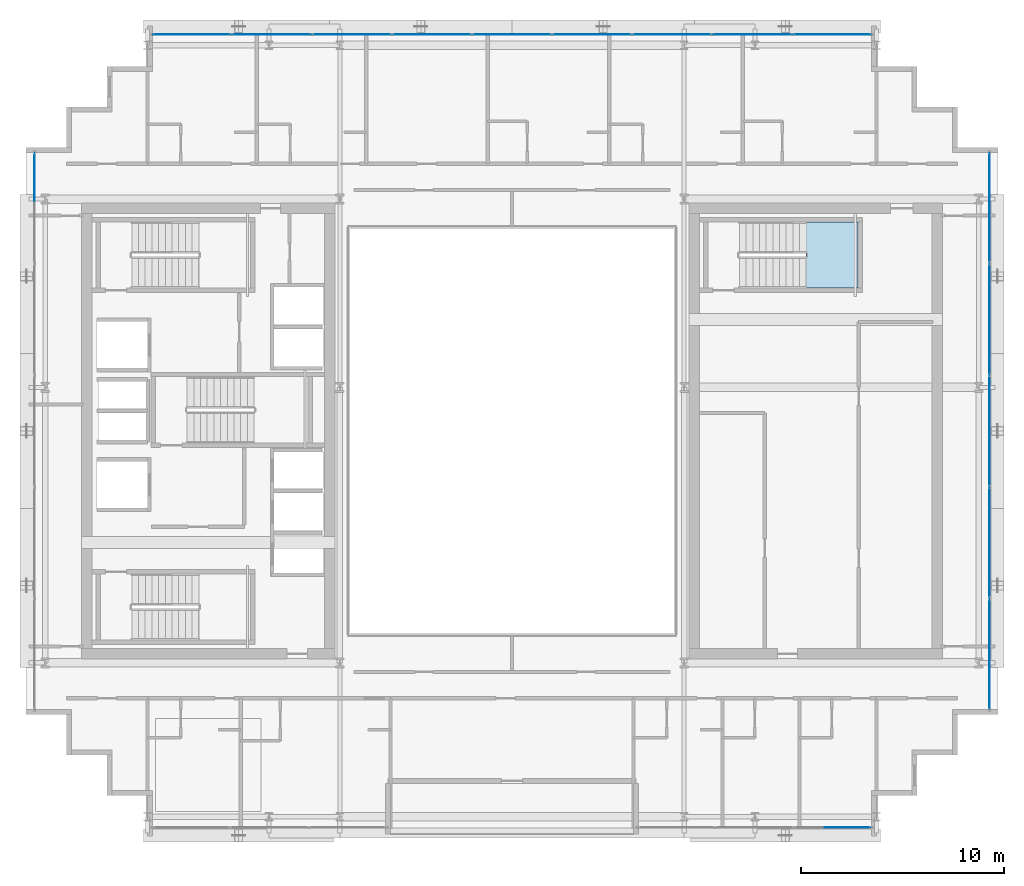
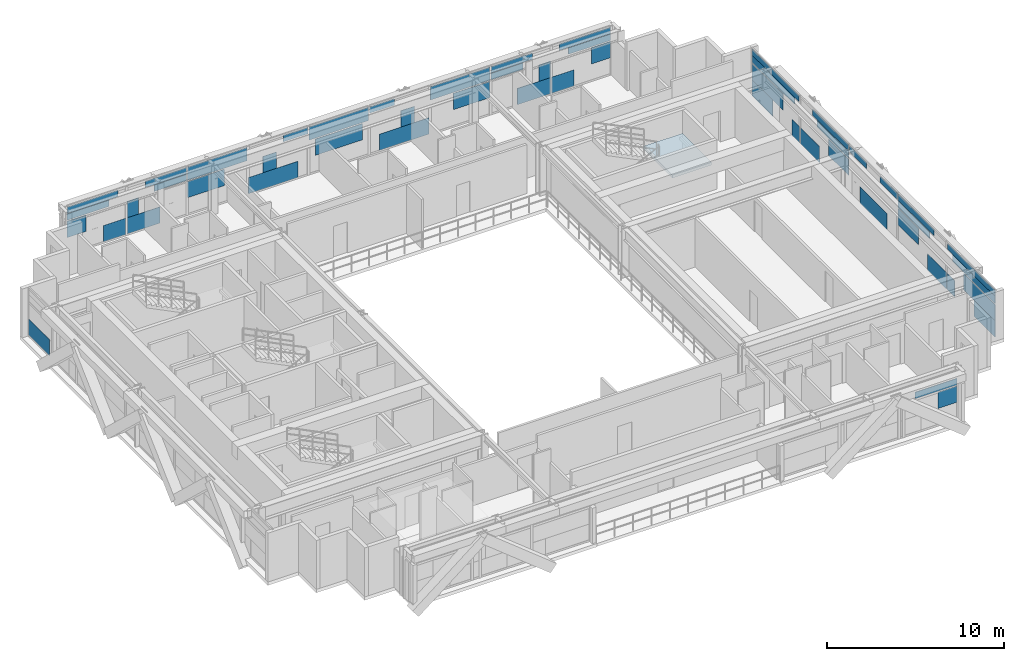
# One storey, part 21 of 31: 52 plates, 1 slab, 5 elements without a shape of their own.
"""IFC4 building model written with IfcOpenShell, lengths in metres."""

from ifc_helpers import new_model, si_unit, direction, frame, origin, origin_2d, place, context, subcontext, project, spatial, polyline, rectangle, outline, extrude, source, transform, mapped, material, layer, layer_set, type_object, element, aggregate, save


model = new_model("IFC4")

# Units and contexts
model_context = context("Model", 3, precision=1e-05, world=origin(), true_north=direction((0.0, 1.0)))
body_context = subcontext(model_context, "Body", "Model", "MODEL_VIEW")
ifc_project = project(units=[si_unit("LENGTHUNIT", "METRE"), si_unit("AREAUNIT", "SQUARE_METRE"), si_unit("VOLUMEUNIT", "CUBIC_METRE"), si_unit("PLANEANGLEUNIT", "RADIAN"), si_unit("MASSUNIT", "GRAM", prefix="KILO")], contexts=[model_context])

# Site, building, storey
site_placement = place(None, origin())
site = spatial("IfcSite", under=ifc_project, at=site_placement, CompositionType="ELEMENT")
building_placement = place(site_placement, origin())
building = spatial("IfcBuilding", under=site, at=building_placement, Name="Ocotamira Hotel", CompositionType="ELEMENT")
storey_placement = place(building_placement, frame((0.0, 0.0, 202.800048828125)))
storey = spatial("IfcBuildingStorey", under=building, at=storey_placement, Name="L51", CompositionType="ELEMENT", Elevation=202.800048828125)

# Stair, slab
ifc_material_1 = material(Name="Concrete C40/50", Category="concrete")
stair_type = type_object("IfcStairType", Name="ST-CORE-1560", PredefinedType="HALF_TURN_STAIR", material=ifc_material_1)
stair_placement = place(storey_placement, origin())
stair = element("IfcStair", 1, at=stair_placement, inside=storey, type_object=stair_type, Name="L51 Exit Stair ST-4", PredefinedType="HALF_TURN_STAIR")
ifc_layer_1 = layer(ifc_material_1, 0.199951171875)
ifc_layer_set_1 = layer_set([ifc_layer_1], Name="Concrete C40/50")
slab_type = type_object("IfcSlabType", Name="SLB-LAND-200", PredefinedType="LANDING", material=ifc_layer_set_1)
slab_placement = place(storey_placement, frame((0.0, 0.0, 1.599853515625)))
slab = element("IfcSlab", 2, at=slab_placement, type_object=slab_type, Name="ST-4 landing 1", PredefinedType="LANDING", context=body_context, shape_type="SweptSolid", body=[
    extrude(outline(polyline([(46.530029296875, 33.050048828125), (49.090087890625, 33.050048828125), (49.090087890625, 36.330078125), (46.530029296875, 36.330078125), (46.530029296875, 33.050048828125)])), origin(), (0.0, 0.0, 1.0), 0.2001953125),
])
aggregate(stair, [slab])

# Curtain wall, plates
ifc_material_2 = material(Name="Anodised pale-metal aluminium and solar glass", Category="aluminium")
ifc_layer_2 = layer(ifc_material_2, 0.199951171875)
ifc_layer_set_2 = layer_set([ifc_layer_2], Name="Anodised pale-metal aluminium and solar glass")
curtain_wall_type = type_object("IfcCurtainWallType", Name="CW-SYS4-Z3", PredefinedType="NOTDEFINED", material=ifc_layer_set_2)
curtain_wall_1_placement = place(storey_placement, origin())
curtain_wall_1 = element("IfcCurtainWall", 3, at=curtain_wall_1_placement, inside=storey, type_object=curtain_wall_type, Name="L51 Curtain Wall CW-4 CW-L51-N", PredefinedType="NOTDEFINED")
ifc_material_3 = material(Name="Double-silver low-E insulated solar glass", Category="glass")
ifc_layer_3 = layer(ifc_material_3, 0.031982421875)
ifc_layer_set_3 = layer_set([ifc_layer_3], Name="Double-silver low-E insulated solar glass")
plate_type = type_object("IfcPlateType", Name="CWP-VISION-32", PredefinedType="CURTAIN_PANEL", material=ifc_layer_set_3)
shared_shape_1 = source(origin(), body_context, "Body", "SweptSolid", [
    extrude(rectangle(XDim=3.87548828125, YDim=0.031982421875, at=origin_2d()), origin(), (0.0, 0.0, 1.0), 0.907470703125),
])
plate_1_placement = place(storey_placement, frame((24.0888671875, 45.580078125, 2.3876953125), z_axis=(0.0, 0.0, 1.0), x_axis=(1.0, 0.0, 0.0)))
plate_1 = element("IfcPlate", 4, at=plate_1_placement, type_object=plate_type, Name="CW-4 panel 3.2", PredefinedType="CURTAIN_PANEL", context=body_context, shape_type="MappedRepresentation", body=[
    mapped(shared_shape_1, transform((0.0, 0.0, 0.0), scale=1.0)),
])
plate_2_placement = place(storey_placement, frame((32.0, 45.580078125, 2.3876953125), z_axis=(0.0, 0.0, 1.0), x_axis=(1.0, 0.0, 0.0)))
plate_2 = element("IfcPlate", 5, at=plate_2_placement, type_object=plate_type, Name="CW-4 panel 5.2", PredefinedType="CURTAIN_PANEL", context=body_context, shape_type="MappedRepresentation", body=[
    mapped(shared_shape_1, transform((0.0, 0.0, 0.0), scale=1.0)),
])
plate_3_placement = place(storey_placement, frame((39.9111328125, 45.580078125, 2.3876953125), z_axis=(0.0, 0.0, 1.0), x_axis=(1.0, 0.0, 0.0)))
plate_3 = element("IfcPlate", 6, at=plate_3_placement, type_object=plate_type, Name="CW-4 panel 7.2", PredefinedType="CURTAIN_PANEL", context=body_context, shape_type="MappedRepresentation", body=[
    mapped(shared_shape_1, transform((0.0, 0.0, 0.0), scale=1.0)),
])

# Curtain wall, plate
curtain_wall_2_placement = place(storey_placement, origin())
curtain_wall_2 = element("IfcCurtainWall", 7, at=curtain_wall_2_placement, inside=storey, type_object=curtain_wall_type, Name="L51 Curtain Wall CW-4 CW-L51-S2", PredefinedType="NOTDEFINED")
shared_shape_2 = source(origin(), body_context, "Body", "SweptSolid", [
    extrude(rectangle(XDim=1.251953125, YDim=0.031982421875, at=origin_2d()), origin(), (0.0, 0.0, 1.0), 1.118896484375),
])
plate_4_placement = place(storey_placement, frame((49.093994140625, 6.419921875, 1.193359375), z_axis=(0.0, 0.0, 1.0), x_axis=(1.0, 0.0, 0.0)))
plate_4 = element("IfcPlate", 8, at=plate_4_placement, type_object=plate_type, Name="CW-4 panel 3.1.2", PredefinedType="CURTAIN_PANEL", context=body_context, shape_type="MappedRepresentation", body=[
    mapped(shared_shape_2, transform((0.0, 0.0, 0.0), scale=1.0)),
])

# Plate
plate_5_placement = place(storey_placement, frame((14.906005859375, 45.580078125, 1.193359375), z_axis=(0.0, 0.0, 1.0), x_axis=(1.0, 0.0, 0.0)))
plate_5 = element("IfcPlate", 9, at=plate_5_placement, type_object=plate_type, Name="CW-4 panel 1.1.1", PredefinedType="CURTAIN_PANEL", context=body_context, shape_type="MappedRepresentation", body=[
    mapped(shared_shape_2, transform((0.0, 0.0, 0.0), scale=1.0)),
])

plate_6_placement = place(storey_placement, frame((49.093994140625, 45.580078125, 1.193359375), z_axis=(0.0, 0.0, 1.0), x_axis=(1.0, 0.0, 0.0)))
plate_6 = element("IfcPlate", 10, at=plate_6_placement, type_object=plate_type, Name="CW-4 panel 9.1.2", PredefinedType="CURTAIN_PANEL", context=body_context, shape_type="MappedRepresentation", body=[
    mapped(shared_shape_2, transform((0.0, 0.0, 0.0), scale=1.0)),
])

shared_shape_3 = source(origin(), body_context, "Body", "SweptSolid", [
    extrude(rectangle(XDim=2.744140625, YDim=0.031982421875, at=origin_2d()), origin(), (0.0, 0.0, 1.0), 0.443603515625),
])
plate_7_placement = place(storey_placement, frame((48.347900390625, 6.419921875, 2.38720703125), z_axis=(0.0, 0.0, 1.0), x_axis=(1.0, 0.0, 0.0)))
plate_7 = element("IfcPlate", 11, at=plate_7_placement, type_object=plate_type, Name="CW-4 panel 3.2.2", PredefinedType="CURTAIN_PANEL", context=body_context, shape_type="MappedRepresentation", body=[
    mapped(shared_shape_3, transform((0.0, 0.0, 0.0), scale=1.0)),
])

aggregate(curtain_wall_2, [plate_4, plate_7])

plate_8_placement = place(storey_placement, frame((15.652099609375, 45.580078125, 2.38720703125), z_axis=(0.0, 0.0, 1.0), x_axis=(1.0, 0.0, 0.0)))
plate_8 = element("IfcPlate", 12, at=plate_8_placement, type_object=plate_type, Name="CW-4 panel 1.2.1", PredefinedType="CURTAIN_PANEL", context=body_context, shape_type="MappedRepresentation", body=[
    mapped(shared_shape_3, transform((0.0, 0.0, 0.0), scale=1.0)),
])

plate_9_placement = place(storey_placement, frame((48.347900390625, 45.580078125, 2.38720703125), z_axis=(0.0, 0.0, 1.0), x_axis=(1.0, 0.0, 0.0)))
plate_9 = element("IfcPlate", 13, at=plate_9_placement, type_object=plate_type, Name="CW-4 panel 9.2.2", PredefinedType="CURTAIN_PANEL", context=body_context, shape_type="MappedRepresentation", body=[
    mapped(shared_shape_3, transform((0.0, 0.0, 0.0), scale=1.0)),
])

shared_shape_4 = source(origin(), body_context, "Body", "SweptSolid", [
    extrude(rectangle(XDim=3.337646484375, YDim=0.031982421875, at=origin_2d()), origin(), (0.0, 0.0, 1.0), 0.4326171875),
])
plate_10_placement = place(storey_placement, frame((15.94873046875, 45.580078125, 2.8623046875), z_axis=(0.0, 0.0, 1.0), x_axis=(1.0, 0.0, 0.0)))
plate_10 = element("IfcPlate", 14, at=plate_10_placement, type_object=plate_type, Name="CW-4 panel 1.2.2", PredefinedType="CURTAIN_PANEL", context=body_context, shape_type="MappedRepresentation", body=[
    mapped(shared_shape_4, transform((0.0, 0.0, 0.0), scale=1.0)),
])

plate_11_placement = place(storey_placement, frame((48.05126953125, 45.580078125, 2.8623046875), z_axis=(0.0, 0.0, 1.0), x_axis=(1.0, 0.0, 0.0)))
plate_11 = element("IfcPlate", 15, at=plate_11_placement, type_object=plate_type, Name="CW-4 panel 9.2.1", PredefinedType="CURTAIN_PANEL", context=body_context, shape_type="MappedRepresentation", body=[
    mapped(shared_shape_4, transform((0.0, 0.0, 0.0), scale=1.0)),
])

shared_shape_5 = source(origin(), body_context, "Body", "SweptSolid", [
    extrude(rectangle(XDim=1.463134765625, YDim=0.031982421875, at=origin_2d()), origin(), (0.0, 0.0, 1.0), 1.118896484375),
])
plate_12_placement = place(storey_placement, frame((17.384033203125, 45.580078125, 0.07470703125), z_axis=(0.0, 0.0, 1.0), x_axis=(1.0, 0.0, 0.0)))
plate_12 = element("IfcPlate", 16, at=plate_12_placement, type_object=plate_type, Name="CW-4 panel 1.1.2", PredefinedType="CURTAIN_PANEL", context=body_context, shape_type="MappedRepresentation", body=[
    mapped(shared_shape_5, transform((0.0, 0.0, 0.0), scale=1.0)),
])

plate_13_placement = place(storey_placement, frame((46.615966796875, 45.580078125, 0.07470703125), z_axis=(0.0, 0.0, 1.0), x_axis=(1.0, 0.0, 0.0)))
plate_13 = element("IfcPlate", 17, at=plate_13_placement, type_object=plate_type, Name="CW-4 panel 9.1.1", PredefinedType="CURTAIN_PANEL", context=body_context, shape_type="MappedRepresentation", body=[
    mapped(shared_shape_5, transform((0.0, 0.0, 0.0), scale=1.0)),
])

shared_shape_6 = source(origin(), body_context, "Body", "SweptSolid", [
    extrude(rectangle(XDim=2.152099609375, YDim=0.031982421875, at=origin_2d()), origin(), (0.0, 0.0, 1.0), 1.118896484375),
])
plate_14_placement = place(storey_placement, frame((19.271484375, 45.580078125, 0.07470703125), z_axis=(0.0, 0.0, 1.0), x_axis=(1.0, 0.0, 0.0)))
plate_14 = element("IfcPlate", 18, at=plate_14_placement, type_object=plate_type, Name="CW-4 panel 2.1.1", PredefinedType="CURTAIN_PANEL", context=body_context, shape_type="MappedRepresentation", body=[
    mapped(shared_shape_6, transform((0.0, 0.0, 0.0), scale=1.0)),
])

plate_15_placement = place(storey_placement, frame((44.728515625, 45.580078125, 0.07470703125), z_axis=(0.0, 0.0, 1.0), x_axis=(1.0, 0.0, 0.0)))
plate_15 = element("IfcPlate", 19, at=plate_15_placement, type_object=plate_type, Name="CW-4 panel 8.1.1", PredefinedType="CURTAIN_PANEL", context=body_context, shape_type="MappedRepresentation", body=[
    mapped(shared_shape_6, transform((0.0, 0.0, 0.0), scale=1.0)),
])

shared_shape_7 = source(origin(), body_context, "Body", "SweptSolid", [
    extrude(rectangle(XDim=0.75341796875, YDim=0.031982421875, at=origin_2d()), origin(), (0.0, 0.0, 1.0), 1.118896484375),
])
plate_16_placement = place(storey_placement, frame((18.572265625, 45.580078125, 1.193359375), z_axis=(0.0, 0.0, 1.0), x_axis=(1.0, 0.0, 0.0)))
plate_16 = element("IfcPlate", 20, at=plate_16_placement, type_object=plate_type, Name="CW-4 panel 2.1.2", PredefinedType="CURTAIN_PANEL", context=body_context, shape_type="MappedRepresentation", body=[
    mapped(shared_shape_7, transform((0.0, 0.0, 0.0), scale=1.0)),
])

plate_17_placement = place(storey_placement, frame((45.427734375, 45.580078125, 1.193359375), z_axis=(0.0, 0.0, 1.0), x_axis=(1.0, 0.0, 0.0)))
plate_17 = element("IfcPlate", 21, at=plate_17_placement, type_object=plate_type, Name="CW-4 panel 8.1.2", PredefinedType="CURTAIN_PANEL", context=body_context, shape_type="MappedRepresentation", body=[
    mapped(shared_shape_7, transform((0.0, 0.0, 0.0), scale=1.0)),
])

shared_shape_8 = source(origin(), body_context, "Body", "SweptSolid", [
    extrude(rectangle(XDim=2.688720703125, YDim=0.031982421875, at=origin_2d()), origin(), (0.0, 0.0, 1.0), 0.4326171875),
])
plate_18_placement = place(storey_placement, frame((20.726806640625, 45.580078125, 2.8623046875), z_axis=(0.0, 0.0, 1.0), x_axis=(1.0, 0.0, 0.0)))
plate_18 = element("IfcPlate", 22, at=plate_18_placement, type_object=plate_type, Name="CW-4 panel 2.2.1", PredefinedType="CURTAIN_PANEL", context=body_context, shape_type="MappedRepresentation", body=[
    mapped(shared_shape_8, transform((0.0, 0.0, 0.0), scale=1.0)),
])

plate_19_placement = place(storey_placement, frame((43.273193359375, 45.580078125, 2.8623046875), z_axis=(0.0, 0.0, 1.0), x_axis=(1.0, 0.0, 0.0)))
plate_19 = element("IfcPlate", 23, at=plate_19_placement, type_object=plate_type, Name="CW-4 panel 8.2.2", PredefinedType="CURTAIN_PANEL", context=body_context, shape_type="MappedRepresentation", body=[
    mapped(shared_shape_8, transform((0.0, 0.0, 0.0), scale=1.0)),
])

shared_shape_9 = source(origin(), body_context, "Body", "SweptSolid", [
    extrude(rectangle(XDim=2.09521484375, YDim=0.031982421875, at=origin_2d()), origin(), (0.0, 0.0, 1.0), 0.443603515625),
])
plate_20_placement = place(storey_placement, frame((21.0234375, 45.580078125, 2.38720703125), z_axis=(0.0, 0.0, 1.0), x_axis=(1.0, 0.0, 0.0)))
plate_20 = element("IfcPlate", 24, at=plate_20_placement, type_object=plate_type, Name="CW-4 panel 2.2.2", PredefinedType="CURTAIN_PANEL", context=body_context, shape_type="MappedRepresentation", body=[
    mapped(shared_shape_9, transform((0.0, 0.0, 0.0), scale=1.0)),
])

plate_21_placement = place(storey_placement, frame((42.9765625, 45.580078125, 2.38720703125), z_axis=(0.0, 0.0, 1.0), x_axis=(1.0, 0.0, 0.0)))
plate_21 = element("IfcPlate", 25, at=plate_21_placement, type_object=plate_type, Name="CW-4 panel 8.2.1", PredefinedType="CURTAIN_PANEL", context=body_context, shape_type="MappedRepresentation", body=[
    mapped(shared_shape_9, transform((0.0, 0.0, 0.0), scale=1.0)),
])

shared_shape_10 = source(origin(), body_context, "Body", "SweptSolid", [
    extrude(rectangle(XDim=2.380859375, YDim=0.031982421875, at=origin_2d()), origin(), (0.0, 0.0, 1.0), 1.118896484375),
])
plate_22_placement = place(storey_placement, frame((23.341552734375, 45.580078125, 1.193359375), z_axis=(0.0, 0.0, 1.0), x_axis=(1.0, 0.0, 0.0)))
plate_22 = element("IfcPlate", 26, at=plate_22_placement, type_object=plate_type, Name="CW-4 panel 3.1.1", PredefinedType="CURTAIN_PANEL", context=body_context, shape_type="MappedRepresentation", body=[
    mapped(shared_shape_10, transform((0.0, 0.0, 0.0), scale=1.0)),
])

plate_23_placement = place(storey_placement, frame((40.658447265625, 45.580078125, 1.193359375), z_axis=(0.0, 0.0, 1.0), x_axis=(1.0, 0.0, 0.0)))
plate_23 = element("IfcPlate", 27, at=plate_23_placement, type_object=plate_type, Name="CW-4 panel 7.1.1", PredefinedType="CURTAIN_PANEL", context=body_context, shape_type="MappedRepresentation", body=[
    mapped(shared_shape_10, transform((0.0, 0.0, 0.0), scale=1.0)),
])

shared_shape_11 = source(origin(), body_context, "Body", "SweptSolid", [
    extrude(rectangle(XDim=3.240966796875, YDim=0.031982421875, at=origin_2d()), origin(), (0.0, 0.0, 1.0), 1.118896484375),
])
plate_24_placement = place(storey_placement, frame((27.72705078125, 45.580078125, 0.07470703125), z_axis=(0.0, 0.0, 1.0), x_axis=(1.0, 0.0, 0.0)))
plate_24 = element("IfcPlate", 28, at=plate_24_placement, type_object=plate_type, Name="CW-4 panel 4.1.1", PredefinedType="CURTAIN_PANEL", context=body_context, shape_type="MappedRepresentation", body=[
    mapped(shared_shape_11, transform((0.0, 0.0, 0.0), scale=1.0)),
])

plate_25_placement = place(storey_placement, frame((36.27294921875, 45.580078125, 0.07470703125), z_axis=(0.0, 0.0, 1.0), x_axis=(1.0, 0.0, 0.0)))
plate_25 = element("IfcPlate", 29, at=plate_25_placement, type_object=plate_type, Name="CW-4 panel 6.1.1", PredefinedType="CURTAIN_PANEL", context=body_context, shape_type="MappedRepresentation", body=[
    mapped(shared_shape_11, transform((0.0, 0.0, 0.0), scale=1.0)),
])

shared_shape_12 = source(origin(), body_context, "Body", "SweptSolid", [
    extrude(rectangle(XDim=0.898193359375, YDim=0.031982421875, at=origin_2d()), origin(), (0.0, 0.0, 1.0), 1.118896484375),
])
plate_26_placement = place(storey_placement, frame((27.5, 45.580078125, 1.193359375), z_axis=(0.0, 0.0, 1.0), x_axis=(1.0, 0.0, 0.0)))
plate_26 = element("IfcPlate", 30, at=plate_26_placement, type_object=plate_type, Name="CW-4 panel 4.1.2", PredefinedType="CURTAIN_PANEL", context=body_context, shape_type="MappedRepresentation", body=[
    mapped(shared_shape_12, transform((0.0, 0.0, 0.0), scale=1.0)),
])

plate_27_placement = place(storey_placement, frame((36.5, 45.580078125, 1.193359375), z_axis=(0.0, 0.0, 1.0), x_axis=(1.0, 0.0, 0.0)))
plate_27 = element("IfcPlate", 31, at=plate_27_placement, type_object=plate_type, Name="CW-4 panel 6.1.2", PredefinedType="CURTAIN_PANEL", context=body_context, shape_type="MappedRepresentation", body=[
    mapped(shared_shape_12, transform((0.0, 0.0, 0.0), scale=1.0)),
])

shared_shape_13 = source(origin(), body_context, "Body", "SweptSolid", [
    extrude(rectangle(XDim=1.599853515625, YDim=0.031982421875, at=origin_2d()), origin(), (0.0, 0.0, 1.0), 0.4326171875),
])
plate_28_placement = place(storey_placement, frame((29.182373046875, 45.580078125, 2.8623046875), z_axis=(0.0, 0.0, 1.0), x_axis=(1.0, 0.0, 0.0)))
plate_28 = element("IfcPlate", 32, at=plate_28_placement, type_object=plate_type, Name="CW-4 panel 4.2.1", PredefinedType="CURTAIN_PANEL", context=body_context, shape_type="MappedRepresentation", body=[
    mapped(shared_shape_13, transform((0.0, 0.0, 0.0), scale=1.0)),
])

plate_29_placement = place(storey_placement, frame((34.817626953125, 45.580078125, 2.8623046875), z_axis=(0.0, 0.0, 1.0), x_axis=(1.0, 0.0, 0.0)))
plate_29 = element("IfcPlate", 33, at=plate_29_placement, type_object=plate_type, Name="CW-4 panel 6.2.1", PredefinedType="CURTAIN_PANEL", context=body_context, shape_type="MappedRepresentation", body=[
    mapped(shared_shape_13, transform((0.0, 0.0, 0.0), scale=1.0)),
])

shared_shape_14 = source(origin(), body_context, "Body", "SweptSolid", [
    extrude(rectangle(XDim=3.063720703125, YDim=0.031982421875, at=origin_2d()), origin(), (0.0, 0.0, 1.0), 1.118896484375),
])
plate_30_placement = place(storey_placement, frame((32.0, 45.580078125, 1.193359375), z_axis=(0.0, 0.0, 1.0), x_axis=(1.0, 0.0, 0.0)))
plate_30 = element("IfcPlate", 34, at=plate_30_placement, type_object=plate_type, Name="CW-4 panel 5.1.1", PredefinedType="CURTAIN_PANEL", context=body_context, shape_type="MappedRepresentation", body=[
    mapped(shared_shape_14, transform((0.0, 0.0, 0.0), scale=1.0)),
])

aggregate(curtain_wall_1, [plate_5, plate_12, plate_8, plate_10, plate_14, plate_16, plate_18, plate_20, plate_22, plate_1, plate_24, plate_26, plate_28, plate_30, plate_2, plate_25, plate_27, plate_29, plate_23, plate_3, plate_15, plate_17, plate_21, plate_19, plate_13, plate_6, plate_11, plate_9])

# Curtain wall, plate
curtain_wall_3_placement = place(storey_placement, origin())
curtain_wall_3 = element("IfcCurtainWall", 35, at=curtain_wall_3_placement, inside=storey, type_object=curtain_wall_type, Name="L51 Curtain Wall CW-4 CW-L51-W", PredefinedType="NOTDEFINED")
shared_shape_15 = source(origin(), body_context, "Body", "SweptSolid", [
    extrude(rectangle(XDim=2.348388671875, YDim=0.031982421875, at=origin_2d()), origin(), (0.0, 0.0, 1.0), 1.118896484375),
])
plate_31_placement = place(storey_placement, frame((8.419921875, 38.5458984375, 0.07470703125), z_axis=(0.0, 0.0, 1.0), x_axis=(0.0, 1.0, 0.0)))
plate_31 = element("IfcPlate", 36, at=plate_31_placement, type_object=plate_type, Name="CW-4 panel 5.1.3", PredefinedType="CURTAIN_PANEL", context=body_context, shape_type="MappedRepresentation", body=[
    mapped(shared_shape_15, transform((0.0, 0.0, 0.0), scale=1.0)),
])
aggregate(curtain_wall_3, [plate_31])

# Curtain wall, plates
curtain_wall_4_placement = place(storey_placement, origin())
curtain_wall_4 = element("IfcCurtainWall", 37, at=curtain_wall_4_placement, inside=storey, type_object=curtain_wall_type, Name="L51 Curtain Wall CW-4 CW-L51-E", PredefinedType="NOTDEFINED")
plate_32_placement = place(storey_placement, frame((55.580078125, 13.4541015625, 0.07470703125), z_axis=(0.0, 0.0, 1.0), x_axis=(0.0, 1.0, 0.0)))
plate_32 = element("IfcPlate", 38, at=plate_32_placement, type_object=plate_type, Name="CW-4 panel 1.1.1", PredefinedType="CURTAIN_PANEL", context=body_context, shape_type="MappedRepresentation", body=[
    mapped(shared_shape_15, transform((0.0, 0.0, 0.0), scale=1.0)),
])
plate_33_placement = place(storey_placement, frame((55.580078125, 38.5458984375, 0.07470703125), z_axis=(0.0, 0.0, 1.0), x_axis=(0.0, 1.0, 0.0)))
plate_33 = element("IfcPlate", 39, at=plate_33_placement, type_object=plate_type, Name="CW-4 panel 5.1.3", PredefinedType="CURTAIN_PANEL", context=body_context, shape_type="MappedRepresentation", body=[
    mapped(shared_shape_15, transform((0.0, 0.0, 0.0), scale=1.0)),
])
shared_shape_16 = source(origin(), body_context, "Body", "SweptSolid", [
    extrude(rectangle(XDim=3.534423828125, YDim=0.031982421875, at=origin_2d()), origin(), (0.0, 0.0, 1.0), 1.118896484375),
])
plate_34_placement = place(storey_placement, frame((55.580078125, 14.047119140625, 1.193359375), z_axis=(0.0, 0.0, 1.0), x_axis=(0.0, 1.0, 0.0)))
plate_34 = element("IfcPlate", 40, at=plate_34_placement, type_object=plate_type, Name="CW-4 panel 1.1.2", PredefinedType="CURTAIN_PANEL", context=body_context, shape_type="MappedRepresentation", body=[
    mapped(shared_shape_16, transform((0.0, 0.0, 0.0), scale=1.0)),
])
plate_35_placement = place(storey_placement, frame((55.580078125, 37.952880859375, 1.193359375), z_axis=(0.0, 0.0, 1.0), x_axis=(0.0, 1.0, 0.0)))
plate_35 = element("IfcPlate", 41, at=plate_35_placement, type_object=plate_type, Name="CW-4 panel 5.1.2", PredefinedType="CURTAIN_PANEL", context=body_context, shape_type="MappedRepresentation", body=[
    mapped(shared_shape_16, transform((0.0, 0.0, 0.0), scale=1.0)),
])
shared_shape_17 = source(origin(), body_context, "Body", "SweptSolid", [
    extrude(rectangle(XDim=0.845458984375, YDim=0.031982421875, at=origin_2d()), origin(), (0.0, 0.0, 1.0), 1.118896484375),
])
plate_36_placement = place(storey_placement, frame((55.580078125, 17.25732421875, 0.07470703125), z_axis=(0.0, 0.0, 1.0), x_axis=(0.0, 1.0, 0.0)))
plate_36 = element("IfcPlate", 42, at=plate_36_placement, type_object=plate_type, Name="CW-4 panel 1.1.3", PredefinedType="CURTAIN_PANEL", context=body_context, shape_type="MappedRepresentation", body=[
    mapped(shared_shape_17, transform((0.0, 0.0, 0.0), scale=1.0)),
])
plate_37_placement = place(storey_placement, frame((55.580078125, 34.74267578125, 0.07470703125), z_axis=(0.0, 0.0, 1.0), x_axis=(0.0, 1.0, 0.0)))
plate_37 = element("IfcPlate", 43, at=plate_37_placement, type_object=plate_type, Name="CW-4 panel 5.1.1", PredefinedType="CURTAIN_PANEL", context=body_context, shape_type="MappedRepresentation", body=[
    mapped(shared_shape_17, transform((0.0, 0.0, 0.0), scale=1.0)),
])
shared_shape_18 = source(origin(), body_context, "Body", "SweptSolid", [
    extrude(rectangle(XDim=4.7998046875, YDim=0.031982421875, at=origin_2d()), origin(), (0.0, 0.0, 1.0), 0.4951171875),
])
plate_38_placement = place(storey_placement, frame((55.580078125, 14.679931640625, 2.387451171875), z_axis=(0.0, 0.0, 1.0), x_axis=(0.0, 1.0, 0.0)))
plate_38 = element("IfcPlate", 44, at=plate_38_placement, type_object=plate_type, Name="CW-4 panel 1.2.1", PredefinedType="CURTAIN_PANEL", context=body_context, shape_type="MappedRepresentation", body=[
    mapped(shared_shape_18, transform((0.0, 0.0, 0.0), scale=1.0)),
])
plate_39_placement = place(storey_placement, frame((55.580078125, 37.320068359375, 2.387451171875), z_axis=(0.0, 0.0, 1.0), x_axis=(0.0, 1.0, 0.0)))
plate_39 = element("IfcPlate", 45, at=plate_39_placement, type_object=plate_type, Name="CW-4 panel 5.2.2", PredefinedType="CURTAIN_PANEL", context=body_context, shape_type="MappedRepresentation", body=[
    mapped(shared_shape_18, transform((0.0, 0.0, 0.0), scale=1.0)),
])
shared_shape_19 = source(origin(), body_context, "Body", "SweptSolid", [
    extrude(rectangle(XDim=5.32470703125, YDim=0.031982421875, at=origin_2d()), origin(), (0.0, 0.0, 1.0), 0.41259765625),
])
plate_40_placement = place(storey_placement, frame((55.580078125, 14.9423828125, 2.882568359375), z_axis=(0.0, 0.0, 1.0), x_axis=(0.0, 1.0, 0.0)))
plate_40 = element("IfcPlate", 46, at=plate_40_placement, type_object=plate_type, Name="CW-4 panel 1.2.2", PredefinedType="CURTAIN_PANEL", context=body_context, shape_type="MappedRepresentation", body=[
    mapped(shared_shape_19, transform((0.0, 0.0, 0.0), scale=1.0)),
])
plate_41_placement = place(storey_placement, frame((55.580078125, 37.0576171875, 2.882568359375), z_axis=(0.0, 0.0, 1.0), x_axis=(0.0, 1.0, 0.0)))
plate_41 = element("IfcPlate", 47, at=plate_41_placement, type_object=plate_type, Name="CW-4 panel 5.2.1", PredefinedType="CURTAIN_PANEL", context=body_context, shape_type="MappedRepresentation", body=[
    mapped(shared_shape_19, transform((0.0, 0.0, 0.0), scale=1.0)),
])
shared_shape_20 = source(origin(), body_context, "Body", "SweptSolid", [
    extrude(rectangle(XDim=2.138671875, YDim=0.031982421875, at=origin_2d()), origin(), (0.0, 0.0, 1.0), 1.118896484375),
])
plate_42_placement = place(storey_placement, frame((55.580078125, 18.829345703125, 0.07470703125), z_axis=(0.0, 0.0, 1.0), x_axis=(0.0, 1.0, 0.0)))
plate_42 = element("IfcPlate", 48, at=plate_42_placement, type_object=plate_type, Name="CW-4 panel 2.1.1", PredefinedType="CURTAIN_PANEL", context=body_context, shape_type="MappedRepresentation", body=[
    mapped(shared_shape_20, transform((0.0, 0.0, 0.0), scale=1.0)),
])
plate_43_placement = place(storey_placement, frame((55.580078125, 33.170654296875, 0.07470703125), z_axis=(0.0, 0.0, 1.0), x_axis=(0.0, 1.0, 0.0)))
plate_43 = element("IfcPlate", 49, at=plate_43_placement, type_object=plate_type, Name="CW-4 panel 4.1.2", PredefinedType="CURTAIN_PANEL", context=body_context, shape_type="MappedRepresentation", body=[
    mapped(shared_shape_20, transform((0.0, 0.0, 0.0), scale=1.0)),
])
shared_shape_21 = source(origin(), body_context, "Body", "SweptSolid", [
    extrude(rectangle(XDim=2.281005859375, YDim=0.031982421875, at=origin_2d()), origin(), (0.0, 0.0, 1.0), 1.118896484375),
])
plate_44_placement = place(storey_placement, frame((55.580078125, 22.059326171875, 1.193359375), z_axis=(0.0, 0.0, 1.0), x_axis=(0.0, 1.0, 0.0)))
plate_44 = element("IfcPlate", 50, at=plate_44_placement, type_object=plate_type, Name="CW-4 panel 2.1.2", PredefinedType="CURTAIN_PANEL", context=body_context, shape_type="MappedRepresentation", body=[
    mapped(shared_shape_21, transform((0.0, 0.0, 0.0), scale=1.0)),
])
plate_45_placement = place(storey_placement, frame((55.580078125, 29.940673828125, 1.193359375), z_axis=(0.0, 0.0, 1.0), x_axis=(0.0, 1.0, 0.0)))
plate_45 = element("IfcPlate", 51, at=plate_45_placement, type_object=plate_type, Name="CW-4 panel 4.1.1", PredefinedType="CURTAIN_PANEL", context=body_context, shape_type="MappedRepresentation", body=[
    mapped(shared_shape_21, transform((0.0, 0.0, 0.0), scale=1.0)),
])
shared_shape_22 = source(origin(), body_context, "Body", "SweptSolid", [
    extrude(rectangle(XDim=4.071533203125, YDim=0.031982421875, at=origin_2d()), origin(), (0.0, 0.0, 1.0), 0.41259765625),
])
plate_46_placement = place(storey_placement, frame((55.580078125, 21.164306640625, 2.882568359375), z_axis=(0.0, 0.0, 1.0), x_axis=(0.0, 1.0, 0.0)))
plate_46 = element("IfcPlate", 52, at=plate_46_placement, type_object=plate_type, Name="CW-4 panel 2.2.1", PredefinedType="CURTAIN_PANEL", context=body_context, shape_type="MappedRepresentation", body=[
    mapped(shared_shape_22, transform((0.0, 0.0, 0.0), scale=1.0)),
])
plate_47_placement = place(storey_placement, frame((55.580078125, 30.835693359375, 2.882568359375), z_axis=(0.0, 0.0, 1.0), x_axis=(0.0, 1.0, 0.0)))
plate_47 = element("IfcPlate", 53, at=plate_47_placement, type_object=plate_type, Name="CW-4 panel 4.2.2", PredefinedType="CURTAIN_PANEL", context=body_context, shape_type="MappedRepresentation", body=[
    mapped(shared_shape_22, transform((0.0, 0.0, 0.0), scale=1.0)),
])
shared_shape_23 = source(origin(), body_context, "Body", "SweptSolid", [
    extrude(rectangle(XDim=3.546630859375, YDim=0.031982421875, at=origin_2d()), origin(), (0.0, 0.0, 1.0), 0.460693359375),
])
plate_48_placement = place(storey_placement, frame((55.580078125, 21.426513671875, 2.3876953125), z_axis=(0.0, 0.0, 1.0), x_axis=(0.0, 1.0, 0.0)))
plate_48 = element("IfcPlate", 54, at=plate_48_placement, type_object=plate_type, Name="CW-4 panel 2.2.2", PredefinedType="CURTAIN_PANEL", context=body_context, shape_type="MappedRepresentation", body=[
    mapped(shared_shape_23, transform((0.0, 0.0, 0.0), scale=1.0)),
])
plate_49_placement = place(storey_placement, frame((55.580078125, 30.573486328125, 2.3876953125), z_axis=(0.0, 0.0, 1.0), x_axis=(0.0, 1.0, 0.0)))
plate_49 = element("IfcPlate", 55, at=plate_49_placement, type_object=plate_type, Name="CW-4 panel 4.2.1", PredefinedType="CURTAIN_PANEL", context=body_context, shape_type="MappedRepresentation", body=[
    mapped(shared_shape_23, transform((0.0, 0.0, 0.0), scale=1.0)),
])
shared_shape_24 = source(origin(), body_context, "Body", "SweptSolid", [
    extrude(rectangle(XDim=3.064208984375, YDim=0.031982421875, at=origin_2d()), origin(), (0.0, 0.0, 1.0), 1.118896484375),
])
plate_50_placement = place(storey_placement, frame((55.580078125, 26.0, 0.07470703125), z_axis=(0.0, 0.0, 1.0), x_axis=(0.0, 1.0, 0.0)))
plate_50 = element("IfcPlate", 56, at=plate_50_placement, type_object=plate_type, Name="CW-4 panel 3.1.1", PredefinedType="CURTAIN_PANEL", context=body_context, shape_type="MappedRepresentation", body=[
    mapped(shared_shape_24, transform((0.0, 0.0, 0.0), scale=1.0)),
])
shared_shape_25 = source(origin(), body_context, "Body", "SweptSolid", [
    extrude(rectangle(XDim=1.958251953125, YDim=0.031982421875, at=origin_2d()), origin(), (0.0, 0.0, 1.0), 0.41259765625),
])
plate_51_placement = place(storey_placement, frame((55.580078125, 24.259033203125, 2.882568359375), z_axis=(0.0, 0.0, 1.0), x_axis=(0.0, 1.0, 0.0)))
plate_51 = element("IfcPlate", 57, at=plate_51_placement, type_object=plate_type, Name="CW-4 panel 3.2.1", PredefinedType="CURTAIN_PANEL", context=body_context, shape_type="MappedRepresentation", body=[
    mapped(shared_shape_25, transform((0.0, 0.0, 0.0), scale=1.0)),
])
plate_52_placement = place(storey_placement, frame((55.580078125, 27.740966796875, 2.882568359375), z_axis=(0.0, 0.0, 1.0), x_axis=(0.0, 1.0, 0.0)))
plate_52 = element("IfcPlate", 58, at=plate_52_placement, type_object=plate_type, Name="CW-4 panel 3.2.2", PredefinedType="CURTAIN_PANEL", context=body_context, shape_type="MappedRepresentation", body=[
    mapped(shared_shape_25, transform((0.0, 0.0, 0.0), scale=1.0)),
])
aggregate(curtain_wall_4, [plate_32, plate_34, plate_36, plate_38, plate_40, plate_42, plate_44, plate_46, plate_48, plate_50, plate_51, plate_52, plate_45, plate_43, plate_49, plate_47, plate_37, plate_35, plate_33, plate_41, plate_39])

save(model, "model.ifc")
